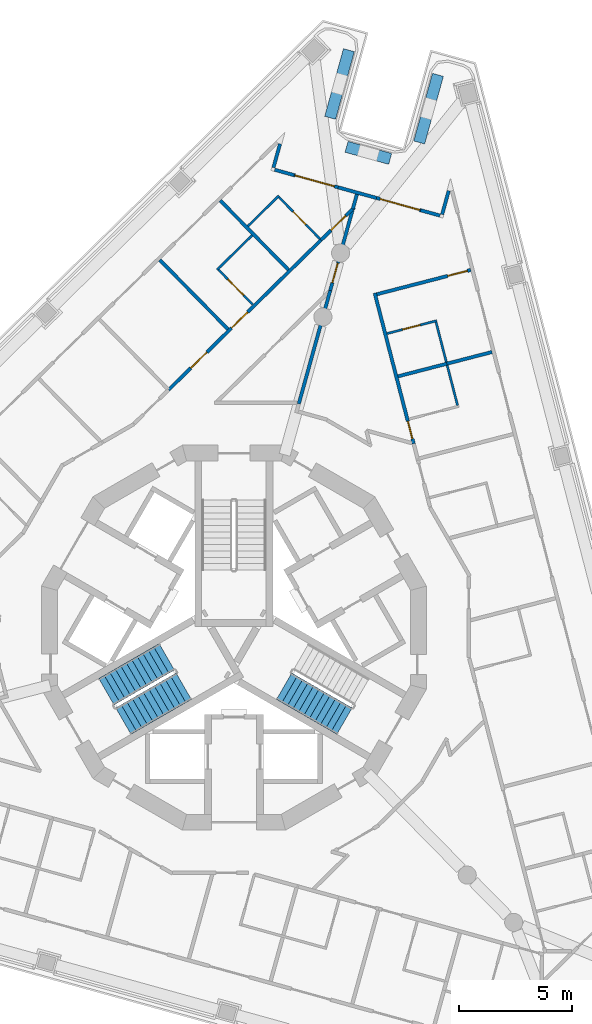
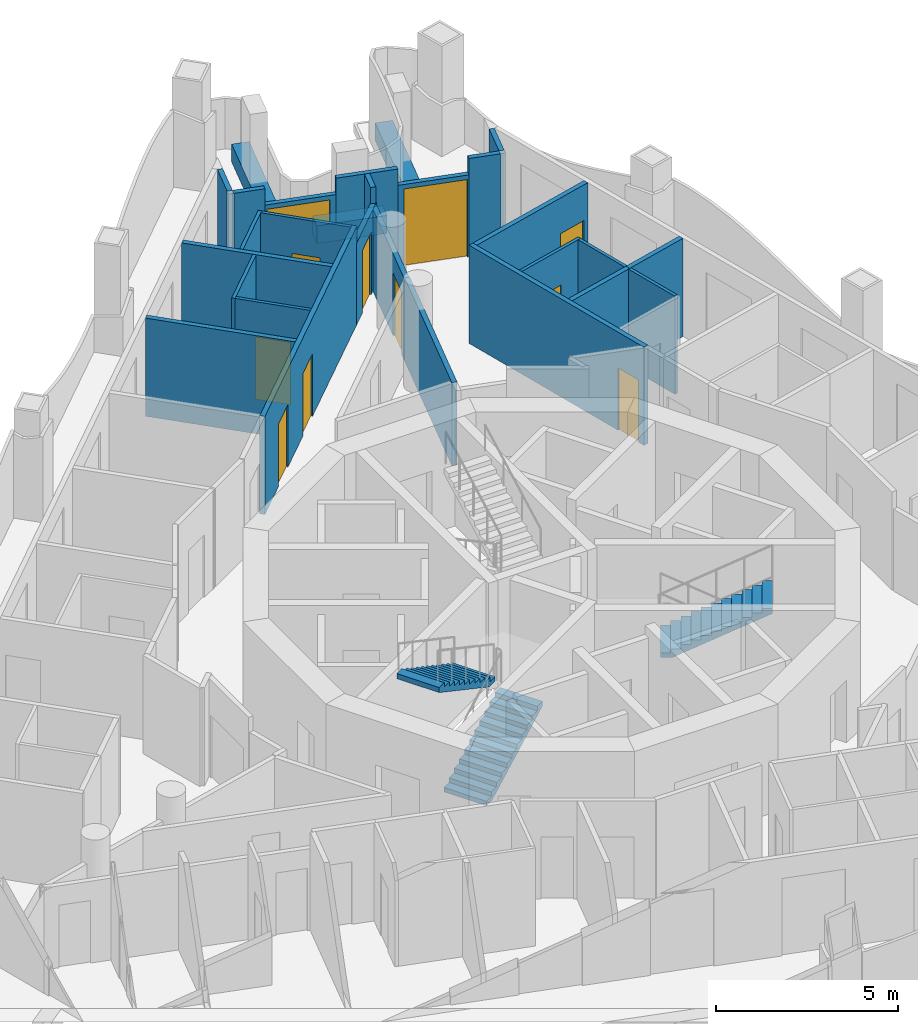
# One storey, part 8 of 15: 28 walls, 11 doors, 3 stair flights, 11 openings, 2 elements without a shape of their own.
"""IFC4 building model written with IfcOpenShell, lengths in metres."""

from ifc_helpers import new_model, si_unit, direction, frame, frame_2d, origin, place, context, subcontext, project, spatial, polyline, rectangle, outline, extrude, material, layer, layer_set, type_object, element, fill, aggregate, save


model = new_model("IFC4")

# Units and contexts
model_context = context("Model", 3, precision=1e-05, world=origin(), true_north=direction((0.0, 1.0)))
body_context = subcontext(model_context, "Body", "Model", "MODEL_VIEW")
ifc_project = project(units=[si_unit("LENGTHUNIT", "METRE"), si_unit("AREAUNIT", "SQUARE_METRE"), si_unit("VOLUMEUNIT", "CUBIC_METRE"), si_unit("PLANEANGLEUNIT", "RADIAN"), si_unit("MASSUNIT", "GRAM", prefix="KILO")], contexts=[model_context])

# Site, building, storey
site_placement = place(None, origin())
site = spatial("IfcSite", under=ifc_project, at=site_placement, CompositionType="ELEMENT")
building_placement = place(site_placement, origin())
building = spatial("IfcBuilding", under=site, at=building_placement, Name="Trine Commons Tower", CompositionType="ELEMENT")
storey_placement = place(building_placement, frame((0.0, 0.0, 260.10009765625)))
storey = spatial("IfcBuildingStorey", under=building, at=storey_placement, Name="L68", CompositionType="ELEMENT", Elevation=260.10009765625)

# Walls
ifc_material_1 = material(Name="Aluminium-framed insulated wall panel", Category="aluminium")
ifc_layer_1 = layer(ifc_material_1, 0.14990234375)
ifc_layer_set_1 = layer_set([ifc_layer_1], Name="Aluminium-framed insulated wall panel")
wall_type_1 = type_object("IfcWallType", Name="Glazed frame wall 150, EI 60", PredefinedType="SOLIDWALL", material=ifc_layer_set_1)
wall_1_placement = place(storey_placement, frame((82.07470703125, 84.444091796875, 0.0), z_axis=(0.0, 0.0, 1.0), x_axis=(-0.267185113528, -0.963645222636, 0.0)))
element("IfcWall", 1, at=wall_1_placement, inside=storey, type_object=wall_type_1, Name="Glazed frame wall R2", PredefinedType="SOLIDWALL", context=body_context, shape_type="SweptSolid", body=[
    extrude(outline(polyline([(0.1494140625, 0.074951171875), (0.1494140625, -0.074951171875), (1.235107421875, -0.074951171875), (1.235107421875, 0.074951171875), (0.1494140625, 0.074951171875)])), origin(), (0.0, 0.0, 1.0), 3.2998046875),
])
wall_2_placement = place(storey_placement, frame((81.69091796875, 83.19091796875, 0.0), z_axis=(0.0, 0.0, 1.0), x_axis=(0.963668166343, -0.267102349627, 0.0)))
element("IfcWall", 2, at=wall_2_placement, inside=storey, type_object=wall_type_1, Name="Glazed frame wall P1.1", PredefinedType="SOLIDWALL", context=body_context, shape_type="SweptSolid", body=[
    extrude(outline(polyline([(0.110107421875, -0.074951171875), (1.0, -0.074951171875), (1.0, 0.074951171875), (0.110107421875, 0.074951171875), (0.110107421875, -0.074951171875)])), origin(), (0.0, 0.0, 1.0), 3.2998046875),
])

# Wall, opening, door
wall_3_placement = place(storey_placement, frame((82.654541015625, 82.923828125, 0.0), z_axis=(0.0, 0.0, 1.0), x_axis=(0.963623378646, -0.267263884816, 0.0)))
wall_3 = element("IfcWall", 3, at=wall_3_placement, inside=storey, type_object=wall_type_1, Name="Glazed frame wall P1.2", PredefinedType="SOLIDWALL", context=body_context, shape_type="SweptSolid", body=[
    extrude(outline(polyline([(0.0, -0.074951171875), (2.021484375, -0.074951171875), (2.021484375, 0.074951171875), (0.0, 0.074951171875), (0.0, -0.074951171875)])), origin(), (0.0, 0.0, 1.0), 2.75),
])
opening_1_placement = place(wall_3_placement, frame((0.050048828125, 0.0, 0.0)))
opening_1 = element("IfcOpeningElement", 4, at=opening_1_placement, cuts=wall_3, Name="Opening BD-7P1-01", PredefinedType="OPENING", context=body_context, shape_type="SweptSolid", body=[
    extrude(rectangle(XDim=1.800048828125, YDim=2.60009765625, at=frame_2d((0.89990234375, 1.300048828125))), frame((0.0, 0.0849609375, 0.0), z_axis=(0.0, -1.0, 0.0), x_axis=(1.0, 0.0, 0.0)), (0.0, 0.0, 1.0), 0.169921875),
])
ifc_material_2 = material(Name="Anodised aluminium frame with double glazing", Category="aluminium")
door_type_1 = type_object("IfcDoorType", Name="Sliding loggia door 1800x2600", OperationType="SLIDING_TO_LEFT", PredefinedType="DOOR", material=ifc_material_2)
door_1_placement = place(opening_1_placement, origin())
door_1 = element("IfcDoor", 5, at=door_1_placement, inside=storey, type_object=door_type_1, Name="Loggia door P1 1", OperationType="SLIDING_TO_LEFT", OverallHeight=2.60009765625, OverallWidth=1.800048828125, PredefinedType="DOOR", context=body_context, shape_type="SweptSolid", body=[
    extrude(rectangle(XDim=1.800048828125, YDim=2.60009765625, at=frame_2d((0.89990234375, 1.300048828125))), frame((0.0, 0.02490234375, 0.0), z_axis=(0.0, -1.0, 0.0), x_axis=(1.0, 0.0, 0.0)), (0.0, 0.0, 1.0), 0.050048828125),
])
fill(opening_1, door_1)

# Wall
wall_4_placement = place(storey_placement, frame((84.6025390625, 82.383544921875, 0.0), z_axis=(0.0, 0.0, 1.0), x_axis=(0.963649164221, -0.267170897174, 0.0)))
element("IfcWall", 6, at=wall_4_placement, inside=storey, type_object=wall_type_1, Name="Glazed frame wall P1.3", PredefinedType="SOLIDWALL", context=body_context, shape_type="SweptSolid", body=[
    extrude(outline(polyline([(0.0, -0.074951171875), (1.757080078125, -0.074951171875), (1.757080078125, 0.074951171875), (0.0, 0.074951171875), (0.0, -0.074951171875)])), origin(), (0.0, 0.0, 1.0), 3.2998046875),
])

# Wall, opening, door
wall_5_placement = place(storey_placement, frame((86.2958984375, 81.9140625, 0.0), z_axis=(0.0, 0.0, 1.0), x_axis=(0.963614750545, -0.267294991596, 0.0)))
wall_5 = element("IfcWall", 7, at=wall_5_placement, inside=storey, type_object=wall_type_1, Name="Glazed frame wall P1.4", PredefinedType="SOLIDWALL", context=body_context, shape_type="SweptSolid", body=[
    extrude(outline(polyline([(0.0, -0.074951171875), (2.021484375, -0.074951171875), (2.021484375, 0.074951171875), (0.0, 0.074951171875), (0.0, -0.074951171875)])), origin(), (0.0, 0.0, 1.0), 2.75),
])
opening_2_placement = place(wall_5_placement, frame((0.17138671875, 0.0, 0.0)))
opening_2 = element("IfcOpeningElement", 8, at=opening_2_placement, cuts=wall_5, Name="Opening BD-7P1-02", PredefinedType="OPENING", context=body_context, shape_type="SweptSolid", body=[
    extrude(rectangle(XDim=1.800048828125, YDim=2.60009765625, at=frame_2d((0.89990234375, 1.300048828125))), frame((0.0, 0.0849609375, 0.0), z_axis=(0.0, -1.0, 0.0), x_axis=(1.0, 0.0, 0.0)), (0.0, 0.0, 1.0), 0.169921875),
])
door_2_placement = place(opening_2_placement, origin())
door_2 = element("IfcDoor", 9, at=door_2_placement, inside=storey, type_object=door_type_1, Name="Loggia door P1 2", OperationType="SLIDING_TO_LEFT", OverallHeight=2.60009765625, OverallWidth=1.800048828125, PredefinedType="DOOR", context=body_context, shape_type="SweptSolid", body=[
    extrude(rectangle(XDim=1.800048828125, YDim=2.60009765625, at=frame_2d((0.89990234375, 1.300048828125))), frame((0.0, 0.02490234375, 0.0), z_axis=(0.0, -1.0, 0.0), x_axis=(1.0, 0.0, 0.0)), (0.0, 0.0, 1.0), 0.050048828125),
])
fill(opening_2, door_2)

# Walls
wall_6_placement = place(storey_placement, frame((88.24365234375, 81.373779296875, 0.0), z_axis=(0.0, 0.0, 1.0), x_axis=(0.963668166343, -0.267102349627, 0.0)))
element("IfcWall", 10, at=wall_6_placement, inside=storey, type_object=wall_type_1, Name="Glazed frame wall P1.5", PredefinedType="SOLIDWALL", context=body_context, shape_type="SweptSolid", body=[
    extrude(outline(polyline([(0.889892578125, 0.074951171875), (0.0, 0.074951171875), (0.0, -0.074951171875), (0.889892578125, -0.074951171875), (0.889892578125, 0.074951171875)])), origin(), (0.0, 0.0, 1.0), 3.2998046875),
])
wall_7_placement = place(storey_placement, frame((89.164306640625, 81.082275390625, 0.0), z_axis=(0.0, 0.0, 1.0), x_axis=(0.267185113528, 0.963645222636, 0.0)))
element("IfcWall", 11, at=wall_7_placement, inside=storey, type_object=wall_type_1, Name="Glazed frame wall R4", PredefinedType="SOLIDWALL", context=body_context, shape_type="SweptSolid", body=[
    extrude(outline(polyline([(0.110107421875, 0.074951171875), (0.110107421875, -0.074951171875), (1.19580078125, -0.074951171875), (1.19580078125, 0.074951171875), (0.110107421875, 0.074951171875)])), origin(), (0.0, 0.0, 1.0), 3.2998046875),
])
ifc_material_3 = material(Name="Planter trough, precast concrete C40/50", Category="concrete")
ifc_layer_2 = layer(ifc_material_3, 0.5)
ifc_layer_set_2 = layer_set([ifc_layer_2], Name="Planter trough, precast concrete C40/50")
wall_type_2 = type_object("IfcWallType", Name="Planter trough 500x600", PredefinedType="PARAPET", material=ifc_layer_set_2)
wall_8_placement = place(storey_placement, frame((85.077392578125, 88.44189453125, 0.0), z_axis=(0.0, 0.0, 1.0), x_axis=(-0.267286412249, -0.96361713031, 0.0)))
element("IfcWall", 12, at=wall_8_placement, inside=storey, type_object=wall_type_2, Name="Planter 4", PredefinedType="PARAPET", context=body_context, shape_type="SweptSolid", body=[
    extrude(rectangle(XDim=3.10009765625, YDim=0.5, at=frame_2d((1.550048828125, 0.0))), origin(), (0.0, 0.0, 1.0), 0.599853515625),
])
wall_9_placement = place(storey_placement, frame((84.97314453125, 84.174560546875, 0.0), z_axis=(0.0, 0.0, 1.0), x_axis=(0.963636738571, -0.267215710759, 0.0)))
element("IfcWall", 13, at=wall_9_placement, inside=storey, type_object=wall_type_2, Name="Planter 5", PredefinedType="PARAPET", context=body_context, shape_type="SweptSolid", body=[
    extrude(rectangle(XDim=2.0, YDim=0.5, at=frame_2d((1.0, 0.0))), origin(), (0.0, 0.0, 1.0), 0.599853515625),
])
wall_10_placement = place(storey_placement, frame((88.1806640625, 84.364501953125, 0.0), z_axis=(0.0, 0.0, 1.0), x_axis=(0.267213283561, 0.963637411628, 0.0)))
element("IfcWall", 14, at=wall_10_placement, inside=storey, type_object=wall_type_2, Name="Planter 6", PredefinedType="PARAPET", context=body_context, shape_type="SweptSolid", body=[
    extrude(rectangle(XDim=3.10009765625, YDim=0.5, at=frame_2d((1.550048828125, 0.0))), origin(), (0.0, 0.0, 1.0), 0.599853515625),
])
ifc_material_4 = material(Name="Gypsum plasterboard on steel stud", Category="steel")
ifc_layer_3 = layer(ifc_material_4, 0.14990234375)
ifc_layer_set_3 = layer_set([ifc_layer_3], Name="Gypsum plasterboard on steel stud")
wall_type_3 = type_object("IfcWallType", Name="Unit and corridor wall 150 mm, EI 60", PredefinedType="PARTITIONING", material=ifc_layer_set_3)
wall_11_placement = place(storey_placement, frame((76.72998046875, 79.177490234375, 0.0), z_axis=(0.0, 0.0, 1.0), x_axis=(0.70095501421, -0.713205487958, 0.0)))
element("IfcWall", 15, at=wall_11_placement, inside=storey, type_object=wall_type_3, Name="Partition 049", PredefinedType="PARTITIONING", context=body_context, shape_type="SweptSolid", body=[
    extrude(rectangle(XDim=4.28466796875, YDim=0.14990234375, at=frame_2d((2.142333984375, 0.0))), origin(), (0.0, 0.0, 1.0), 3.2998046875),
])

# Wall, openings, doors
wall_12_placement = place(storey_placement, frame((77.114013671875, 73.44189453125, 0.0), z_axis=(0.0, 0.0, 1.0), x_axis=(0.713226576119, 0.70093355685, 0.0)))
wall_12 = element("IfcWall", 16, at=wall_12_placement, inside=storey, type_object=wall_type_3, Name="Partition 050", PredefinedType="PARTITIONING", context=body_context, shape_type="SweptSolid", body=[
    extrude(rectangle(XDim=9.4931640625, YDim=0.14990234375, at=frame_2d((4.74658203125, 0.0))), origin(), (0.0, 0.0, 1.0), 3.2998046875),
])
opening_3_placement = place(wall_12_placement, frame((1.375, 0.0, 0.0)))
opening_3 = element("IfcOpeningElement", 17, at=opening_3_placement, cuts=wall_12, Name="Opening D-7C08", PredefinedType="OPENING", context=body_context, shape_type="SweptSolid", body=[
    extrude(rectangle(XDim=1.0, YDim=2.10009765625, at=frame_2d((0.5, 1.050048828125))), frame((0.0, 0.0849609375, 0.0), z_axis=(0.0, -1.0, 0.0), x_axis=(1.0, 0.0, 0.0)), (0.0, 0.0, 1.0), 0.169921875),
])
opening_4_placement = place(wall_12_placement, frame((3.896484375, 0.0, 0.0)))
opening_4 = element("IfcOpeningElement", 18, at=opening_4_placement, cuts=wall_12, Name="Opening D-7C09", PredefinedType="OPENING", context=body_context, shape_type="SweptSolid", body=[
    extrude(rectangle(XDim=1.0, YDim=2.10009765625, at=frame_2d((0.5, 1.050048828125))), frame((0.0, 0.0849609375, 0.0), z_axis=(0.0, -1.0, 0.0), x_axis=(1.0, 0.0, 0.0)), (0.0, 0.0, 1.0), 0.169921875),
])
ifc_material_5 = material(Name="Painted timber", Category="wood")
door_type_2 = type_object("IfcDoorType", Name="Amenity room door 1000 x 2100, NOT RATED", OperationType="NOTDEFINED", PredefinedType="DOOR", material=ifc_material_5)
door_3_placement = place(opening_3_placement, origin())
door_3 = element("IfcDoor", 19, at=door_3_placement, inside=storey, type_object=door_type_2, Name="Door D-7C08", OperationType="SINGLE_SWING_LEFT", OverallHeight=2.10009765625, OverallWidth=1.0, PredefinedType="DOOR", context=body_context, shape_type="SweptSolid", body=[
    extrude(rectangle(XDim=1.0, YDim=2.10009765625, at=frame_2d((0.5, 1.050048828125))), frame((0.0, 0.02490234375, 0.0), z_axis=(0.0, -1.0, 0.0), x_axis=(1.0, 0.0, 0.0)), (0.0, 0.0, 1.0), 0.050048828125),
])
fill(opening_3, door_3)
ifc_material_6 = material(Name="Timber fire door set", Category="wood")
door_type_3 = type_object("IfcDoorType", Name="Bedroom door 1000 x 2100, FD30S", OperationType="NOTDEFINED", PredefinedType="DOOR", material=ifc_material_6)
door_4_placement = place(opening_4_placement, origin())
door_4 = element("IfcDoor", 20, at=door_4_placement, inside=storey, type_object=door_type_3, Name="Door D-7C09", OperationType="SINGLE_SWING_LEFT", OverallHeight=2.10009765625, OverallWidth=1.0, PredefinedType="DOOR", context=body_context, shape_type="SweptSolid", body=[
    extrude(rectangle(XDim=1.0, YDim=2.10009765625, at=frame_2d((0.5, 1.050048828125))), frame((0.0, 0.02490234375, 0.0), z_axis=(0.0, -1.0, 0.0), x_axis=(1.0, 0.0, 0.0)), (0.0, 0.0, 1.0), 0.050048828125),
])
fill(opening_4, door_4)

# Walls
wall_13_placement = place(storey_placement, frame((79.39892578125, 81.801513671875, 0.0), z_axis=(0.0, 0.0, 1.0), x_axis=(0.70095501421, -0.713205487958, 0.0)))
element("IfcWall", 21, at=wall_13_placement, inside=storey, type_object=wall_type_3, Name="Partition 057", PredefinedType="PARTITIONING", context=body_context, shape_type="SweptSolid", body=[
    extrude(rectangle(XDim=4.28466796875, YDim=0.14990234375, at=frame_2d((2.142333984375, 0.0))), origin(), (0.0, 0.0, 1.0), 3.2998046875),
])
wall_14_placement = place(storey_placement, frame((82.863037109375, 72.822998046875, 0.0), z_axis=(0.0, 0.0, 1.0), x_axis=(0.267297315726, 0.963614105857, 0.0)))
element("IfcWall", 22, at=wall_14_placement, inside=storey, type_object=wall_type_3, Name="Partition 068", PredefinedType="PARTITIONING", context=body_context, shape_type="SweptSolid", body=[
    extrude(rectangle(XDim=5.196044921875, YDim=0.14990234375, at=frame_2d((2.59814453125, 0.0))), origin(), (0.0, 0.0, 1.0), 2.7998046875),
])

# Wall, opening, door
wall_15_placement = place(storey_placement, frame((83.843017578125, 80.054931640625, 0.0), z_axis=(0.0, 0.0, 1.0), x_axis=(0.713089099399, 0.70107341721, 0.0)))
wall_15 = element("IfcWall", 23, at=wall_15_placement, inside=storey, type_object=wall_type_3, Name="Partition 070", PredefinedType="PARTITIONING", context=body_context, shape_type="SweptSolid", body=[
    extrude(rectangle(XDim=2.05224609375, YDim=0.14990234375, at=frame_2d((1.026123046875, 0.0))), origin(), (0.0, 0.0, 1.0), 2.75),
])
opening_5_placement = place(wall_15_placement, frame((0.627685546875, 0.0, 0.0)))
opening_5 = element("IfcOpeningElement", 24, at=opening_5_placement, cuts=wall_15, Name="Opening D-7C10", PredefinedType="OPENING", context=body_context, shape_type="SweptSolid", body=[
    extrude(rectangle(XDim=0.89990234375, YDim=2.10009765625, at=frame_2d((0.449951171875, 1.050048828125))), frame((0.0, 0.0849609375, 0.0), z_axis=(0.0, -1.0, 0.0), x_axis=(1.0, 0.0, 0.0)), (0.0, 0.0, 1.0), 0.169921875),
])
door_type_4 = type_object("IfcDoorType", Name="Bedroom door 900 x 2100, FD30S", OperationType="NOTDEFINED", PredefinedType="DOOR", material=ifc_material_6)
door_5_placement = place(opening_5_placement, origin())
door_5 = element("IfcDoor", 25, at=door_5_placement, inside=storey, type_object=door_type_4, Name="Door D-7C10", OperationType="SINGLE_SWING_RIGHT", OverallHeight=2.10009765625, OverallWidth=0.89990234375, PredefinedType="DOOR", context=body_context, shape_type="SweptSolid", body=[
    extrude(rectangle(XDim=0.89990234375, YDim=2.10009765625, at=frame_2d((0.449951171875, 1.050048828125))), frame((0.0, 0.02490234375, 0.0), z_axis=(0.0, -1.0, 0.0), x_axis=(1.0, 0.0, 0.0)), (0.0, 0.0, 1.0), 0.050048828125),
])
fill(opening_5, door_5)

wall_16_placement = place(storey_placement, frame((84.25, 77.826904296875, 0.0), z_axis=(0.0, 0.0, 1.0), x_axis=(0.267414329718, 0.963581639645, 0.0)))
wall_16 = element("IfcWall", 26, at=wall_16_placement, inside=storey, type_object=wall_type_3, Name="Partition 073", PredefinedType="PARTITIONING", context=body_context, shape_type="SweptSolid", body=[
    extrude(rectangle(XDim=3.675537109375, YDim=0.14990234375, at=frame_2d((1.837890625, 0.0))), origin(), (0.0, 0.0, 1.0), 2.75),
])
opening_6_placement = place(wall_16_placement, frame((0.357421875, 0.0, 0.0)))
opening_6 = element("IfcOpeningElement", 27, at=opening_6_placement, cuts=wall_16, Name="Opening D-7C01", PredefinedType="OPENING", context=body_context, shape_type="SweptSolid", body=[
    extrude(rectangle(XDim=0.89990234375, YDim=2.10009765625, at=frame_2d((0.449951171875, 1.050048828125))), frame((0.0, 0.0849609375, 0.0), z_axis=(0.0, -1.0, 0.0), x_axis=(1.0, 0.0, 0.0)), (0.0, 0.0, 1.0), 0.169921875),
])
door_type_5 = type_object("IfcDoorType", Name="Cluster entrance door 900 x 2100, FD30S", OperationType="NOTDEFINED", PredefinedType="DOOR", material=ifc_material_6)
door_6_placement = place(opening_6_placement, frame((0.89990234375, 0.0, 0.0), z_axis=(0.0, 0.0, 1.0), x_axis=(-1.0, 0.0, 0.0)))
door_6 = element("IfcDoor", 28, at=door_6_placement, inside=storey, type_object=door_type_5, Name="Door D-7C01", OperationType="SINGLE_SWING_RIGHT", OverallHeight=2.10009765625, OverallWidth=0.89990234375, PredefinedType="DOOR", context=body_context, shape_type="SweptSolid", body=[
    extrude(rectangle(XDim=0.89990234375, YDim=2.10009765625, at=frame_2d((0.449951171875, 1.050048828125))), frame((0.0, 0.02490234375, 0.0), z_axis=(0.0, -1.0, 0.0), x_axis=(1.0, 0.0, 0.0)), (0.0, 0.0, 1.0), 0.050048828125),
])
fill(opening_6, door_6)

# Wall
wall_17_placement = place(storey_placement, frame((85.25, 81.429931640625, 0.0), z_axis=(0.0, 0.0, 1.0), x_axis=(0.267118275652, 0.963663751945, 0.0)))
element("IfcWall", 29, at=wall_17_placement, inside=storey, type_object=wall_type_3, Name="Partition 078", PredefinedType="PARTITIONING", context=body_context, shape_type="SweptSolid", body=[
    extrude(rectangle(XDim=0.6708984375, YDim=0.14990234375, at=frame_2d((0.33544921875, 0.0))), origin(), (0.0, 0.0, 1.0), 3.2998046875),
])

# Wall, opening, door
wall_18_placement = place(storey_placement, frame((86.21630859375, 77.716552734375, 0.0), z_axis=(0.0, 0.0, 1.0), x_axis=(0.250346637717, -0.968156268886, 0.0)))
wall_18 = element("IfcWall", 30, at=wall_18_placement, inside=storey, type_object=wall_type_3, Name="Partition 081", PredefinedType="PARTITIONING", context=body_context, shape_type="SweptSolid", body=[
    extrude(rectangle(XDim=6.869384765625, YDim=0.14990234375, at=frame_2d((3.4345703125, 0.0))), origin(), (0.0, 0.0, 1.0), 3.2998046875),
])
opening_7_placement = place(wall_18_placement, frame((5.84814453125, 0.0, 0.0)))
opening_7 = element("IfcOpeningElement", 31, at=opening_7_placement, cuts=wall_18, Name="Opening D-7C12", PredefinedType="OPENING", context=body_context, shape_type="SweptSolid", body=[
    extrude(rectangle(XDim=0.800048828125, YDim=2.10009765625, at=frame_2d((0.39990234375, 1.050048828125))), frame((0.0, 0.0849609375, 0.0), z_axis=(0.0, -1.0, 0.0), x_axis=(1.0, 0.0, 0.0)), (0.0, 0.0, 1.0), 0.169921875),
])
door_type_6 = type_object("IfcDoorType", Name="Bedroom door 800 x 2100, FD30S", OperationType="NOTDEFINED", PredefinedType="DOOR", material=ifc_material_6)
door_7_placement = place(opening_7_placement, origin())
door_7 = element("IfcDoor", 32, at=door_7_placement, inside=storey, type_object=door_type_6, Name="Door D-7C12", OperationType="SINGLE_SWING_RIGHT", OverallHeight=2.10009765625, OverallWidth=0.800048828125, PredefinedType="DOOR", context=body_context, shape_type="SweptSolid", body=[
    extrude(rectangle(XDim=0.800048828125, YDim=2.10009765625, at=frame_2d((0.39990234375, 1.050048828125))), frame((0.0, 0.02490234375, 0.0), z_axis=(0.0, -1.0, 0.0), x_axis=(1.0, 0.0, 0.0)), (0.0, 0.0, 1.0), 0.050048828125),
])
fill(opening_7, door_7)

wall_19_placement = place(storey_placement, frame((86.3076171875, 77.662841796875, 0.0), z_axis=(0.0, 0.0, 1.0), x_axis=(0.96817048695, 0.250291646282, 0.0)))
wall_19 = element("IfcWall", 33, at=wall_19_placement, inside=storey, type_object=wall_type_3, Name="Partition 082", PredefinedType="PARTITIONING", context=body_context, shape_type="SweptSolid", body=[
    extrude(rectangle(XDim=4.2841796875, YDim=0.14990234375, at=frame_2d((2.14208984375, 0.0))), origin(), (0.0, 0.0, 1.0), 3.2998046875),
])
opening_8_placement = place(wall_19_placement, frame((3.23388671875, 0.0, 0.0)))
opening_8 = element("IfcOpeningElement", 34, at=opening_8_placement, cuts=wall_19, Name="Opening D-7C11", PredefinedType="OPENING", context=body_context, shape_type="SweptSolid", body=[
    extrude(rectangle(XDim=0.89990234375, YDim=2.10009765625, at=frame_2d((0.449951171875, 1.050048828125))), frame((0.0, 0.0849609375, 0.0), z_axis=(0.0, -1.0, 0.0), x_axis=(1.0, 0.0, 0.0)), (0.0, 0.0, 1.0), 0.169921875),
])
door_8_placement = place(opening_8_placement, frame((0.89990234375, 0.0, 0.0), z_axis=(0.0, 0.0, 1.0), x_axis=(-1.0, 0.0, 0.0)))
door_8 = element("IfcDoor", 35, at=door_8_placement, inside=storey, type_object=door_type_4, Name="Door D-7C11", OperationType="SINGLE_SWING_LEFT", OverallHeight=2.10009765625, OverallWidth=0.89990234375, PredefinedType="DOOR", context=body_context, shape_type="SweptSolid", body=[
    extrude(rectangle(XDim=0.89990234375, YDim=2.10009765625, at=frame_2d((0.449951171875, 1.050048828125))), frame((0.0, 0.02490234375, 0.0), z_axis=(0.0, -1.0, 0.0), x_axis=(1.0, 0.0, 0.0)), (0.0, 0.0, 1.0), 0.050048828125),
])
fill(opening_8, door_8)

# Walls
wall_20_placement = place(storey_placement, frame((87.24462890625, 74.038818359375, 0.0), z_axis=(0.0, 0.0, 1.0), x_axis=(0.968121216345, 0.250482155975, 0.0)))
element("IfcWall", 36, at=wall_20_placement, inside=storey, type_object=wall_type_3, Name="Partition 086", PredefinedType="PARTITIONING", context=body_context, shape_type="SweptSolid", body=[
    extrude(rectangle(XDim=2.22412109375, YDim=0.14990234375, at=frame_2d((1.112060546875, 0.0))), origin(), (0.0, 0.0, 1.0), 3.2998046875),
])
wall_21_placement = place(storey_placement, frame((89.39794921875, 74.595947265625, 0.0), z_axis=(0.0, 0.0, 1.0), x_axis=(0.968138494735, 0.250415364966, 0.0)))
element("IfcWall", 37, at=wall_21_placement, inside=storey, type_object=wall_type_3, Name="Partition 104", PredefinedType="PARTITIONING", context=body_context, shape_type="SweptSolid", body=[
    extrude(rectangle(XDim=2.06103515625, YDim=0.14990234375, at=frame_2d((1.030517578125, 0.0))), origin(), (0.0, 0.0, 1.0), 3.2998046875),
])
ifc_layer_4 = layer(ifc_material_4, 0.10009765625)
ifc_layer_set_4 = layer_set([ifc_layer_4], Name="Gypsum plasterboard on steel stud")
wall_type_4 = type_object("IfcWallType", Name="Unit partition 100 mm, no rating", PredefinedType="PARTITIONING", material=ifc_layer_set_4)
wall_22_placement = place(storey_placement, frame((79.252197265625, 78.740966796875, 0.0), z_axis=(0.0, 0.0, 1.0), x_axis=(0.713253726978, 0.700905928746, 0.0)))
element("IfcWall", 38, at=wall_22_placement, inside=storey, type_object=wall_type_4, Name="Partition 055", PredefinedType="PARTITIONING", context=body_context, shape_type="SweptSolid", body=[
    extrude(rectangle(XDim=2.1748046875, YDim=0.10009765625, at=frame_2d((1.08740234375, 0.0))), origin(), (0.0, 0.0, 1.0), 3.2998046875),
])

# Wall, opening, door
wall_23_placement = place(storey_placement, frame((79.322998046875, 78.740234375, 0.0), z_axis=(0.0, 0.0, 1.0), x_axis=(0.701018971953, -0.713142623157, 0.0)))
wall_23 = element("IfcWall", 39, at=wall_23_placement, inside=storey, type_object=wall_type_4, Name="Partition 056", PredefinedType="PARTITIONING", context=body_context, shape_type="SweptSolid", body=[
    extrude(rectangle(XDim=2.15478515625, YDim=0.10009765625, at=frame_2d((1.077392578125, 0.0))), origin(), (0.0, 0.0, 1.0), 3.2998046875),
])
opening_9_placement = place(wall_23_placement, frame((0.577392578125, 0.0, 0.0)))
opening_9 = element("IfcOpeningElement", 40, at=opening_9_placement, cuts=wall_23, Name="Opening D-7C31", PredefinedType="OPENING", context=body_context, shape_type="SweptSolid", body=[
    extrude(rectangle(XDim=1.0, YDim=2.10009765625, at=frame_2d((0.5, 1.050048828125))), frame((0.0, 0.06005859375, 0.0), z_axis=(0.0, -1.0, 0.0), x_axis=(1.0, 0.0, 0.0)), (0.0, 0.0, 1.0), 0.1201171875),
])
door_type_7 = type_object("IfcDoorType", Name="Internal door 1000 x 2100, NOT RATED", OperationType="NOTDEFINED", PredefinedType="DOOR", material=ifc_material_5)
door_9_placement = place(opening_9_placement, frame((1.0, 0.0, 0.0), z_axis=(0.0, 0.0, 1.0), x_axis=(-1.0, 0.0, 0.0)))
door_9 = element("IfcDoor", 41, at=door_9_placement, inside=storey, type_object=door_type_7, Name="Door D-7C31", OperationType="SINGLE_SWING_RIGHT", OverallHeight=2.10009765625, OverallWidth=1.0, PredefinedType="DOOR", context=body_context, shape_type="SweptSolid", body=[
    extrude(rectangle(XDim=1.0, YDim=2.10009765625, at=frame_2d((0.5, 1.050048828125))), frame((0.0, 0.02490234375, 0.0), z_axis=(0.0, -1.0, 0.0), x_axis=(1.0, 0.0, 0.0)), (0.0, 0.0, 1.0), 0.050048828125),
])
fill(opening_9, door_9)

# Wall
wall_24_placement = place(storey_placement, frame((80.616455078125, 80.669677734375, 0.0), z_axis=(0.0, 0.0, 1.0), x_axis=(0.713293055377, 0.700865905257, 0.0)))
element("IfcWall", 42, at=wall_24_placement, inside=storey, type_object=wall_type_4, Name="Partition 060", PredefinedType="PARTITIONING", context=body_context, shape_type="SweptSolid", body=[
    extrude(rectangle(XDim=1.92529296875, YDim=0.10009765625, at=frame_2d((0.962646484375, 0.0))), origin(), (0.0, 0.0, 1.0), 3.2998046875),
])

# Wall, opening, door
wall_25_placement = place(storey_placement, frame((81.989013671875, 81.9482421875, 0.0), z_axis=(0.0, 0.0, 1.0), x_axis=(0.700820910795, -0.713337263146, 0.0)))
wall_25 = element("IfcWall", 43, at=wall_25_placement, inside=storey, type_object=wall_type_4, Name="Partition 063", PredefinedType="PARTITIONING", context=body_context, shape_type="SweptSolid", body=[
    extrude(rectangle(XDim=2.57470703125, YDim=0.10009765625, at=frame_2d((1.287353515625, 0.0))), origin(), (0.0, 0.0, 1.0), 3.2998046875),
])
opening_10_placement = place(wall_25_placement, frame((0.887451171875, 0.0, 0.0)))
opening_10 = element("IfcOpeningElement", 44, at=opening_10_placement, cuts=wall_25, Name="Opening D-7C32", PredefinedType="OPENING", context=body_context, shape_type="SweptSolid", body=[
    extrude(rectangle(XDim=0.800048828125, YDim=2.10009765625, at=frame_2d((0.39990234375, 1.050048828125))), frame((0.0, 0.06005859375, 0.0), z_axis=(0.0, -1.0, 0.0), x_axis=(1.0, 0.0, 0.0)), (0.0, 0.0, 1.0), 0.1201171875),
])
door_type_8 = type_object("IfcDoorType", Name="Internal door 800 x 2100, NOT RATED", OperationType="NOTDEFINED", PredefinedType="DOOR", material=ifc_material_5)
door_10_placement = place(opening_10_placement, origin())
door_10 = element("IfcDoor", 45, at=door_10_placement, inside=storey, type_object=door_type_8, Name="Door D-7C32", OperationType="SINGLE_SWING_LEFT", OverallHeight=2.10009765625, OverallWidth=0.800048828125, PredefinedType="DOOR", context=body_context, shape_type="SweptSolid", body=[
    extrude(rectangle(XDim=0.800048828125, YDim=2.10009765625, at=frame_2d((0.39990234375, 1.050048828125))), frame((0.0, 0.02490234375, 0.0), z_axis=(0.0, -1.0, 0.0), x_axis=(1.0, 0.0, 0.0)), (0.0, 0.0, 1.0), 0.050048828125),
])
fill(opening_10, door_10)

wall_26_placement = place(storey_placement, frame((86.756591796875, 75.9267578125, 0.0), z_axis=(0.0, 0.0, 1.0), x_axis=(0.968107869502, 0.25053373627, 0.0)))
wall_26 = element("IfcWall", 46, at=wall_26_placement, inside=storey, type_object=wall_type_4, Name="Partition 085", PredefinedType="PARTITIONING", context=body_context, shape_type="SweptSolid", body=[
    extrude(rectangle(XDim=2.2744140625, YDim=0.10009765625, at=frame_2d((1.13720703125, 0.0))), origin(), (0.0, 0.0, 1.0), 3.2998046875),
])
opening_11_placement = place(wall_26_placement, frame((0.712158203125, 0.0, 0.0)))
opening_11 = element("IfcOpeningElement", 47, at=opening_11_placement, cuts=wall_26, Name="Opening D-7C33", PredefinedType="OPENING", context=body_context, shape_type="SweptSolid", body=[
    extrude(rectangle(XDim=0.800048828125, YDim=2.10009765625, at=frame_2d((0.39990234375, 1.050048828125))), frame((0.0, 0.06005859375, 0.0), z_axis=(0.0, -1.0, 0.0), x_axis=(1.0, 0.0, 0.0)), (0.0, 0.0, 1.0), 0.1201171875),
])
door_11_placement = place(opening_11_placement, origin())
door_11 = element("IfcDoor", 48, at=door_11_placement, inside=storey, type_object=door_type_8, Name="Door D-7C33", OperationType="SINGLE_SWING_LEFT", OverallHeight=2.10009765625, OverallWidth=0.800048828125, PredefinedType="DOOR", context=body_context, shape_type="SweptSolid", body=[
    extrude(rectangle(XDim=0.800048828125, YDim=2.10009765625, at=frame_2d((0.39990234375, 1.050048828125))), frame((0.0, 0.02490234375, 0.0), z_axis=(0.0, -1.0, 0.0), x_axis=(1.0, 0.0, 0.0)), (0.0, 0.0, 1.0), 0.050048828125),
])
fill(opening_11, door_11)

# Walls
wall_27_placement = place(storey_placement, frame((88.922607421875, 76.435546875, 0.0), z_axis=(0.0, 0.0, 1.0), x_axis=(0.250177423801, -0.968200008583, 0.0)))
element("IfcWall", 49, at=wall_27_placement, inside=storey, type_object=wall_type_4, Name="Partition 098", PredefinedType="PARTITIONING", context=body_context, shape_type="SweptSolid", body=[
    extrude(rectangle(XDim=1.824951171875, YDim=0.10009765625, at=frame_2d((0.91259765625, 0.0))), origin(), (0.0, 0.0, 1.0), 3.2998046875),
])
wall_28_placement = place(storey_placement, frame((89.416748046875, 74.5234375, 0.0), z_axis=(0.0, 0.0, 1.0), x_axis=(0.250771850977, -0.968046217263, 0.0)))
element("IfcWall", 50, at=wall_28_placement, inside=storey, type_object=wall_type_4, Name="Partition 103", PredefinedType="PARTITIONING", context=body_context, shape_type="SweptSolid", body=[
    extrude(rectangle(XDim=1.825439453125, YDim=0.10009765625, at=frame_2d((0.91259765625, 0.0))), origin(), (0.0, 0.0, 1.0), 3.2998046875),
])

# Stair, stair flights
ifc_material_7 = material(Name="Concrete C50/60", Category="concrete")
stair_type = type_object("IfcStairType", Name="Exit stair, dog-leg, 24 risers of 150 mm", PredefinedType="HALF_TURN_STAIR", material=ifc_material_7)
stair_1_placement = place(storey_placement, origin())
stair_1 = element("IfcStair", 51, at=stair_1_placement, inside=storey, type_object=stair_type, Name="L68 Exit stair ST2C", PredefinedType="HALF_TURN_STAIR")
stair_flight_type = type_object("IfcStairFlightType", Name="Stair flight, 1350 wide, 12 risers of 150 mm", PredefinedType="STRAIGHT", material=ifc_material_7)
stair_flight_1_placement = place(storey_placement, frame((75.11767578125, 58.815185546875, 0.0), z_axis=(0.0, 0.0, 1.0), x_axis=(0.866025403784, 0.5, 0.0)))
stair_flight_1 = element("IfcStairFlight", 52, at=stair_flight_1_placement, type_object=stair_flight_type, Name="ST2C flight 1", NumberOfRisers=12, NumberOfTreads=11, PredefinedType="STRAIGHT", RiserHeight=0.15, TreadLength=0.28, context=body_context, shape_type="SweptSolid", body=[
    extrude(outline(polyline([(0.0, 0.0), (0.0, 0.14990234375), (0.280029296875, 0.14990234375), (0.280029296875, 0.300048828125), (0.56005859375, 0.300048828125), (0.56005859375, 0.449951171875), (0.840087890625, 0.449951171875), (0.840087890625, 0.60009765625), (1.1201171875, 0.60009765625), (1.1201171875, 0.75), (1.39990234375, 0.75), (1.39990234375, 0.89990234375), (1.679931640625, 0.89990234375), (1.679931640625, 1.050048828125), (1.9599609375, 1.050048828125), (1.9599609375, 1.199951171875), (2.239990234375, 1.199951171875), (2.239990234375, 1.35009765625), (2.52001953125, 1.35009765625), (2.52001953125, 1.5), (2.800048828125, 1.5), (2.800048828125, 1.64990234375), (3.080078125, 1.64990234375), (3.080078125, 1.800048828125), (3.080078125, 1.47998046875), (0.3173828125, 0.0), (0.0, 0.0)])), frame((0.0, 0.675048828125, 0.0), z_axis=(0.0, -1.0, 0.0), x_axis=(1.0, 0.0, 0.0)), (0.0, 0.0, 1.0), 1.35009765625),
])
stair_flight_2_placement = place(storey_placement, frame((77.03515625, 61.654296875, 1.7998046875), z_axis=(0.0, 0.0, 1.0), x_axis=(-0.866025403784, -0.5, 0.0)))
stair_flight_2 = element("IfcStairFlight", 53, at=stair_flight_2_placement, type_object=stair_flight_type, Name="ST2C flight 2", NumberOfRisers=12, NumberOfTreads=11, PredefinedType="STRAIGHT", RiserHeight=0.15, TreadLength=0.28, context=body_context, shape_type="SweptSolid", body=[
    extrude(outline(polyline([(0.0, 0.0), (0.0, 0.14990234375), (0.280029296875, 0.14990234375), (0.280029296875, 0.300048828125), (0.56005859375, 0.300048828125), (0.56005859375, 0.449951171875), (0.840087890625, 0.449951171875), (0.840087890625, 0.60009765625), (1.1201171875, 0.60009765625), (1.1201171875, 0.75), (1.39990234375, 0.75), (1.39990234375, 0.89990234375), (1.679931640625, 0.89990234375), (1.679931640625, 1.050048828125), (1.9599609375, 1.050048828125), (1.9599609375, 1.199951171875), (2.239990234375, 1.199951171875), (2.239990234375, 1.35009765625), (2.52001953125, 1.35009765625), (2.52001953125, 1.5), (2.800048828125, 1.5), (2.800048828125, 1.64990234375), (3.080078125, 1.64990234375), (3.080078125, 1.800048828125), (3.080078125, 1.47998046875), (0.3173828125, 0.0), (0.0, 0.0)])), frame((0.0, 0.675048828125, 0.0), z_axis=(0.0, -1.0, 0.0), x_axis=(1.0, 0.0, 0.0)), (0.0, 0.0, 1.0), 1.35009765625),
])
aggregate(stair_1, [stair_flight_1, stair_flight_2])

# Stair, stair flight
stair_2_placement = place(storey_placement, origin())
stair_2 = element("IfcStair", 54, at=stair_2_placement, inside=storey, type_object=stair_type, Name="L68 Exit stair ST3C", PredefinedType="HALF_TURN_STAIR")
stair_flight_3_placement = place(storey_placement, frame((82.21484375, 60.355224609375, 1.7998046875), z_axis=(0.0, 0.0, 1.0), x_axis=(0.866025403784, -0.5, 0.0)))
stair_flight_3 = element("IfcStairFlight", 55, at=stair_flight_3_placement, type_object=stair_flight_type, Name="ST3C flight 2", NumberOfRisers=12, NumberOfTreads=11, PredefinedType="STRAIGHT", RiserHeight=0.15, TreadLength=0.28, context=body_context, shape_type="SweptSolid", body=[
    extrude(outline(polyline([(0.0, 0.0), (0.0, 0.14990234375), (0.280029296875, 0.14990234375), (0.280029296875, 0.300048828125), (0.56005859375, 0.300048828125), (0.56005859375, 0.449951171875), (0.840087890625, 0.449951171875), (0.840087890625, 0.60009765625), (1.1201171875, 0.60009765625), (1.1201171875, 0.75), (1.39990234375, 0.75), (1.39990234375, 0.89990234375), (1.679931640625, 0.89990234375), (1.679931640625, 1.050048828125), (1.9599609375, 1.050048828125), (1.9599609375, 1.199951171875), (2.239990234375, 1.199951171875), (2.239990234375, 1.35009765625), (2.52001953125, 1.35009765625), (2.52001953125, 1.5), (2.800048828125, 1.5), (2.800048828125, 1.64990234375), (3.080078125, 1.64990234375), (3.080078125, 1.800048828125), (3.080078125, 1.47998046875), (0.3173828125, 0.0), (0.0, 0.0)])), frame((0.0, 0.675048828125, 0.0), z_axis=(0.0, -1.0, 0.0), x_axis=(1.0, 0.0, 0.0)), (0.0, 0.0, 1.0), 1.35009765625),
])
aggregate(stair_2, [stair_flight_3])

save(model, "model.ifc")
